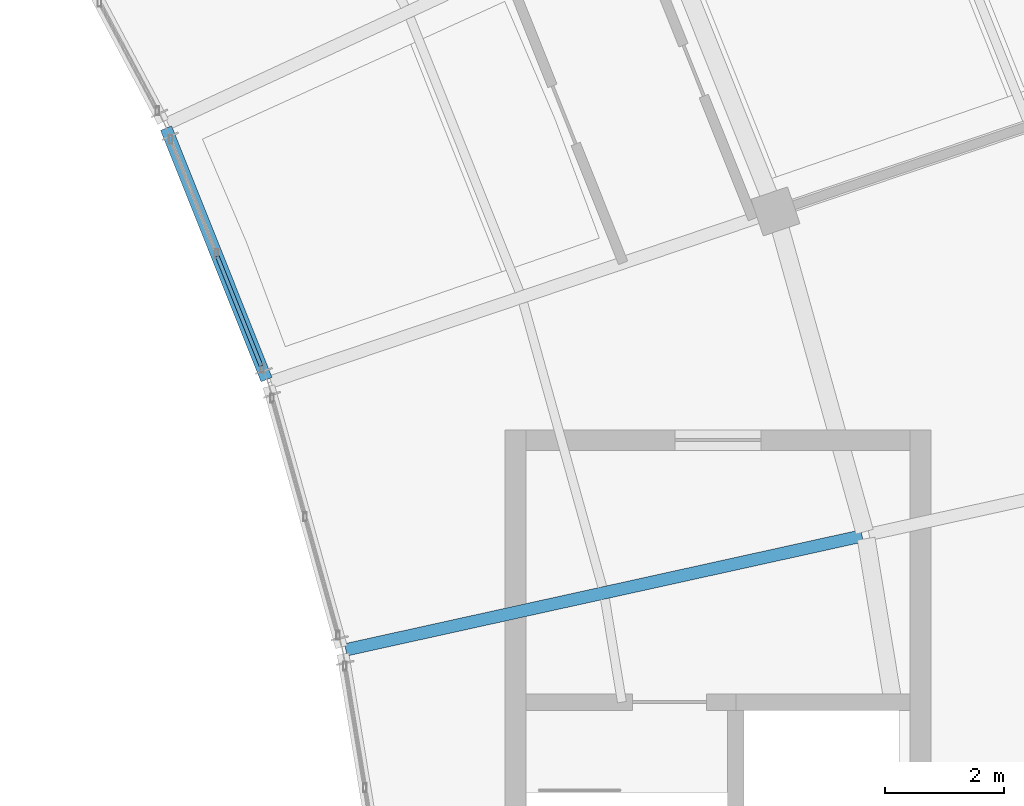
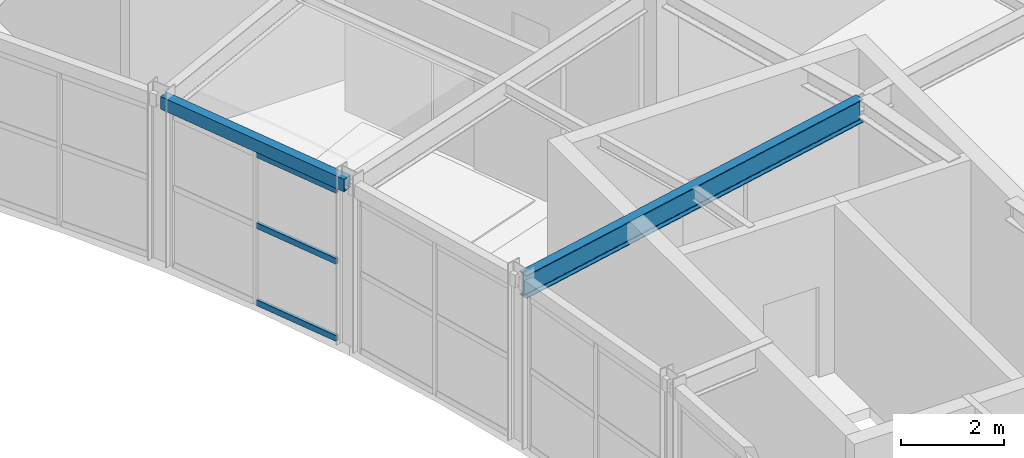
# One storey, part 11 of 29: 3 members, 2 beams, 1 element without a shape of its own.
"""IFC4 building model written with IfcOpenShell, lengths in metres."""

import ifcopenshell
import ifcopenshell.guid

model = None  # the IFC model being written
_history = None  # IfcOwnerHistory: only IFC2X3 demands one
_inside = {}  # id of a spatial element -> (the spatial element, [elements in it])
_under = {}  # id of a project, library or spatial element -> (it, [spatial elements below it])
_declared = {}  # id of a project -> (the project, [libraries it declares])
_typed = {}  # id of a type object -> (the type object, [elements of that type])
_made_of = {}  # id of a material, layer set ... -> (it, [elements and type objects made of it])


def new_model(schema):
    """Start an empty IFC model of exactly this schema.

    Asked for "IFC4X3", IfcOpenShell would pick the latest addendum, in which some entities
    have other attributes; the version numbers below select the first issue.
    IFC2X3 requires an IfcOwnerHistory on every rooted entity: one is made here for all.
    """
    global model, _history
    if schema == "IFC4X3":
        model = ifcopenshell.file(schema_version=(4, 3, 0, 0))
    else:
        model = ifcopenshell.file(schema=schema)
    _inside.clear()
    _under.clear()
    _declared.clear()
    _typed.clear()
    _made_of.clear()
    _history = None
    if model.schema == "IFC2X3":
        org = make("IfcOrganization", Name="unknown")
        user = make(
            "IfcPersonAndOrganization",
            ThePerson=make("IfcPerson", FamilyName="unknown"),
            TheOrganization=org,
        )
        app = make(
            "IfcApplication",
            ApplicationDeveloper=org,
            Version="unknown",
            ApplicationFullName="unknown",
            ApplicationIdentifier="unknown",
        )
        _history = make(
            "IfcOwnerHistory",
            OwningUser=user,
            OwningApplication=app,
            ChangeAction="ADDED",
            CreationDate=0,
        )
    return model


def make(cls, **values):
    """One entity of the class cls with the attributes given. An attribute that is None is left unset."""
    return model.create_entity(
        cls, **{name: value for name, value in values.items() if value is not None}
    )


def rooted(cls, **values):
    """An entity with a GlobalId (a new one), such as an element, a storey or a relation."""
    return make(cls, GlobalId=ifcopenshell.guid.new(), OwnerHistory=_history, **values)


def si_unit(unit_type, name, prefix=None):
    """IfcSIUnit, for example si_unit("LENGTHUNIT", "METRE", prefix="MILLI")."""
    return make("IfcSIUnit", UnitType=unit_type, Prefix=prefix, Name=name)


def assignment(units):
    """IfcUnitAssignment: the units of a project."""
    return None if units is None else make("IfcUnitAssignment", Units=units)


def point(xyz):
    """IfcCartesianPoint."""
    return None if xyz is None else make("IfcCartesianPoint", Coordinates=xyz)


def direction(xyz):
    """IfcDirection."""
    return None if xyz is None else make("IfcDirection", DirectionRatios=xyz)


def frame(location, z_axis=None, x_axis=None):
    """IfcAxis2Placement3D, a coordinate frame: its origin and axes. An axis left out is left unset."""
    return make(
        "IfcAxis2Placement3D",
        Location=point(location),
        Axis=direction(z_axis),
        RefDirection=direction(x_axis),
    )


def frame_2d(location, x_axis=None):
    """IfcAxis2Placement2D, a coordinate frame in the plane: its origin and x axis."""
    return make(
        "IfcAxis2Placement2D", Location=point(location), RefDirection=direction(x_axis)
    )


def origin():
    """The frame at (0, 0, 0) with its axes left unset."""
    return frame((0.0, 0.0, 0.0))


def origin_2d():
    """The frame at (0, 0) in the plane with its x axis left unset."""
    return frame_2d((0.0, 0.0))


def place(relative_to, where):
    """IfcLocalPlacement: puts the frame where relative to a parent placement (None: the world)."""
    return make(
        "IfcLocalPlacement", PlacementRelTo=relative_to, RelativePlacement=where
    )


def context(
    kind, dimensions, precision=None, world=None, true_north=None, identifier=None
):
    """IfcGeometricRepresentationContext, for example the 3D "Model" context."""
    return make(
        "IfcGeometricRepresentationContext",
        ContextIdentifier=identifier,
        ContextType=kind,
        CoordinateSpaceDimension=dimensions,
        Precision=precision,
        WorldCoordinateSystem=world,
        TrueNorth=true_north,
    )


def subcontext(parent, identifier, kind, view, scale=None):
    """IfcGeometricRepresentationSubContext, for example "Body" below "Model"."""
    return make(
        "IfcGeometricRepresentationSubContext",
        ContextIdentifier=identifier,
        ContextType=kind,
        ParentContext=parent,
        TargetScale=scale,
        TargetView=view,
    )


def project(units=None, contexts=None):
    """IfcProject with its units and contexts."""
    return rooted(
        "IfcProject",
        Name="project",
        RepresentationContexts=contexts,
        UnitsInContext=assignment(units),
    )


def spatial(cls, under=None, at=None, **own):
    """A site, building, storey or space (cls), placed at a placement, below another one or the project."""
    s = rooted(cls, ObjectPlacement=at, **own)
    if under is not None:
        _under.setdefault(under.id(), (under, []))[1].append(s)
    return s


def profile(cls, at=None, kind="AREA", **sizes):
    """A parametric profile (cls). Its sizes go by their IFC names, for example OverallWidth=200.0."""
    return make(cls, ProfileType=kind, Position=at, **sizes)


def hollow_rectangle(**sizes):
    """IfcRectangleHollowProfileDef."""
    return profile("IfcRectangleHollowProfileDef", **sizes)


def i_section(**sizes):
    """IfcIShapeProfileDef."""
    return profile("IfcIShapeProfileDef", **sizes)


def extrude(swept, where, along, depth):
    """IfcExtrudedAreaSolid: the profile swept, set in the frame where, extruded along a direction by depth."""
    return make(
        "IfcExtrudedAreaSolid",
        SweptArea=swept,
        Position=where,
        ExtrudedDirection=direction(along),
        Depth=depth,
    )


def shape(context_of_items, identifier, shape_type, items):
    """IfcShapeRepresentation: the items that make up one representation, for example the "Body"."""
    return make(
        "IfcShapeRepresentation",
        ContextOfItems=context_of_items,
        RepresentationIdentifier=identifier,
        RepresentationType=shape_type,
        Items=items,
    )


def material(Name=None, Category=None):
    """IfcMaterial."""
    return make("IfcMaterial", Name=Name, Category=Category)


def material_profile(
    of_material, cross_section, Name=None, Category=None, Priority=None
):
    """IfcMaterialProfile: a cross section and its material."""
    return make(
        "IfcMaterialProfile",
        Name=Name,
        Material=of_material,
        Profile=cross_section,
        Priority=Priority,
        Category=Category,
    )


def profile_set(profiles, Name=None, composite=None):
    """IfcMaterialProfileSet."""
    return make(
        "IfcMaterialProfileSet",
        Name=Name,
        MaterialProfiles=profiles,
        CompositeProfile=composite,
    )


def made_of(thing, what):
    """Note that an element or type object is made of a material, layer set ...; save() writes the relation."""
    if what is not None:
        _made_of.setdefault(what.id(), (what, []))[1].append(thing)
    return thing


def type_object(cls, material=None, **own):
    """A type object (cls), such as IfcWallType, which elements share."""
    return made_of(rooted(cls, **own), material)


def element(
    cls,
    number,
    at=None,
    inside=None,
    cuts=None,
    type_object=None,
    material=None,
    context=None,
    identifier="Body",
    shape_type=None,
    held_by="IfcProductDefinitionShape",
    body=None,
    shapes=None,
    **own,
):
    """One element of the class cls, such as IfcWall. Its Tag is "e" and its number.

    at: its placement. inside: the storey or other place that contains it. cuts: it is an
    opening in that element (IfcRelVoidsElement). A single representation is given by context,
    identifier, shape_type and body (its items); several are given by shapes. held_by: the class
    of the entity that holds the representations. save() writes the other relations.
    """
    e = rooted(cls, Tag="e%d" % number, ObjectPlacement=at, **own)
    if body is not None:
        shapes = [shape(context, identifier, shape_type, body)]
    if shapes is not None:
        e.Representation = make(held_by, Representations=shapes)
    if inside is not None:
        _inside.setdefault(inside.id(), (inside, []))[1].append(e)
    if cuts is not None:
        rooted(
            "IfcRelVoidsElement", RelatingBuildingElement=cuts, RelatedOpeningElement=e
        )
    if type_object is not None:
        _typed.setdefault(type_object.id(), (type_object, []))[1].append(e)
    return made_of(e, material)


def aggregate(whole, parts):
    """IfcRelAggregates: a whole, such as a stair, and the parts it consists of."""
    return rooted("IfcRelAggregates", RelatingObject=whole, RelatedObjects=parts)


def save(model, path):
    """Write the relations noted so far, then the file.

    IfcRelAggregates (storeys below a building ...), IfcRelContainedInSpatialStructure (elements
    in a storey), IfcRelDefinesByType, IfcRelAssociatesMaterial and IfcRelDeclares: one each for
    every whole, place, type object, material and project.
    """
    for whole, parts in _under.values():
        aggregate(whole, parts)
    for where, things in _inside.values():
        rooted(
            "IfcRelContainedInSpatialStructure",
            RelatedElements=things,
            RelatingStructure=where,
        )
    for kind, things in _typed.values():
        rooted("IfcRelDefinesByType", RelatedObjects=things, RelatingType=kind)
    for what, things in _made_of.values():
        rooted("IfcRelAssociatesMaterial", RelatedObjects=things, RelatingMaterial=what)
    for by, libraries in _declared.values():
        rooted("IfcRelDeclares", RelatingContext=by, RelatedDefinitions=libraries)
    model.write(path)


model = new_model("IFC4")

# Units and contexts
model_context = context("Model", 3, precision=1e-05, world=origin(), true_north=direction((0.0, 1.0)))
body_context = subcontext(model_context, "Body", "Model", "MODEL_VIEW")
ifc_project = project(units=[si_unit("LENGTHUNIT", "METRE"), si_unit("AREAUNIT", "SQUARE_METRE"), si_unit("VOLUMEUNIT", "CUBIC_METRE"), si_unit("PLANEANGLEUNIT", "RADIAN"), si_unit("MASSUNIT", "GRAM", prefix="KILO")], contexts=[model_context])

# Site, building, storey
site_placement = place(None, origin())
site = spatial("IfcSite", under=ifc_project, at=site_placement, CompositionType="ELEMENT")
building_placement = place(site_placement, origin())
building = spatial("IfcBuilding", under=site, at=building_placement, Name="Tarnveldt Headland Concert Hall", CompositionType="ELEMENT")
storey_placement = place(building_placement, frame((0.0, 0.0, 18.60009765625)))
storey = spatial("IfcBuildingStorey", under=building, at=storey_placement, Name="L04", CompositionType="ELEMENT", Elevation=18.60009765625)

# Beams
ifc_material_1 = material(Name="Steel S355", Category="steel")
ifc_material_profile_1 = material_profile(ifc_material_1, i_section(OverallWidth=0.2099609375, OverallDepth=0.550048828125, WebThickness=0.010986328125, FlangeThickness=0.01708984375, FilletRadius=0.02392578125, at=origin_2d()), Name="IPE550", Category="steel")
ifc_profile_set_1 = profile_set([ifc_material_profile_1], Name="Steel S355")
beam_type_1 = type_object("IfcBeamType", Name="SB-IPE550", PredefinedType="BEAM", material=ifc_profile_set_1)
beam_1_placement = place(storey_placement, frame((159.54833984375, 69.279052734375, 3.704833984375), z_axis=(0.976505569656, 0.215492163268, 0.0), x_axis=(-0.215492163268, 0.976505569656, 0.0)))
element("IfcBeam", 1, at=beam_1_placement, inside=storey, type_object=beam_type_1, Name="Framing beam L04-1370", PredefinedType="BEAM", context=body_context, shape_type="SweptSolid", body=[
    extrude(i_section(OverallWidth=0.2099609375, OverallDepth=0.550048828125, WebThickness=0.010986328125, FlangeThickness=0.01708984375, FilletRadius=0.02392578125, at=origin_2d()), origin(), (0.0, 0.0, 1.0), 8.880126953125),
])
ifc_material_profile_2 = material_profile(ifc_material_1, hollow_rectangle(XDim=0.199951171875, YDim=0.300048828125, WallThickness=0.012451171875, at=origin_2d()), Name="RHS 300x200x12.5", Category="steel")
ifc_profile_set_2 = profile_set([ifc_material_profile_2], Name="Steel S355")
beam_type_2 = type_object("IfcBeamType", Name="SB-RHS300", PredefinedType="SPANDREL", material=ifc_profile_set_2)
beam_2_placement = place(storey_placement, frame((158.2158203125, 73.818359375, 3.829833984375), z_axis=(-0.370983353144, 0.928639516546, 0.0), x_axis=(-0.928639516546, -0.370983353144, 0.0)))
element("IfcBeam", 2, at=beam_2_placement, inside=storey, type_object=beam_type_2, Name="Framing beam L04-1379", PredefinedType="SPANDREL", context=body_context, shape_type="SweptSolid", body=[
    extrude(hollow_rectangle(XDim=0.199951171875, YDim=0.300048828125, WallThickness=0.012451171875, at=origin_2d()), origin(), (0.0, 0.0, 1.0), 4.54736328125),
])

# Curtain wall, members
ifc_material_2 = material(Name="Marine-anodised aluminium EN AW-6063-T6", Category="aluminium")
curtain_wall_type = type_object("IfcCurtainWallType", Name="CW-C5", PredefinedType="NOTDEFINED", material=ifc_material_2)
curtain_wall_placement = place(storey_placement, origin())
curtain_wall = element("IfcCurtainWall", 3, at=curtain_wall_placement, inside=storey, type_object=curtain_wall_type, Name="Curtain wall CW-L04-150", PredefinedType="NOTDEFINED")
ifc_material_profile_3 = material_profile(ifc_material_2, hollow_rectangle(XDim=0.06494140625, YDim=0.139892578125, WallThickness=0.00390625, at=origin_2d()), Name="ALU TRANSOM 65x140x4", Category="aluminium")
ifc_profile_set_3 = profile_set([ifc_material_profile_3], Name="Marine-anodised aluminium EN AW-6063-T6")
member_type = type_object("IfcMemberType", Name="TR-140", PredefinedType="MEMBER", material=ifc_profile_set_3)
member_1_placement = place(storey_placement, frame((158.124267578125, 74.0478515625, 0.0498046875), z_axis=(-0.37111495253, 0.92858693293, 0.0), x_axis=(-0.92858693293, -0.37111495253, 0.0)))
member_1 = element("IfcMember", 4, at=member_1_placement, type_object=member_type, Name="Transom CW-L04-150-1-1", PredefinedType="MEMBER", context=body_context, shape_type="SweptSolid", body=[
    extrude(hollow_rectangle(XDim=0.06494140625, YDim=0.139892578125, WallThickness=0.00390625, at=origin_2d()), origin(), (0.0, 0.0, 1.0), 1.98486328125),
])
member_2_placement = place(storey_placement, frame((158.124267578125, 74.0478515625, 1.88232421875), z_axis=(-0.37111495253, 0.92858693293, 0.0), x_axis=(-0.92858693293, -0.37111495253, 0.0)))
member_2 = element("IfcMember", 5, at=member_2_placement, type_object=member_type, Name="Transom CW-L04-150-1-2", PredefinedType="MEMBER", context=body_context, shape_type="SweptSolid", body=[
    extrude(hollow_rectangle(XDim=0.06494140625, YDim=0.139892578125, WallThickness=0.00390625, at=origin_2d()), origin(), (0.0, 0.0, 1.0), 1.98486328125),
])
member_3_placement = place(storey_placement, frame((158.124267578125, 74.0478515625, 3.56982421875), z_axis=(-0.37111495253, 0.92858693293, 0.0), x_axis=(-0.92858693293, -0.37111495253, 0.0)))
member_3 = element("IfcMember", 6, at=member_3_placement, type_object=member_type, Name="Transom CW-L04-150-1-3", PredefinedType="MEMBER", context=body_context, shape_type="SweptSolid", body=[
    extrude(hollow_rectangle(XDim=0.06494140625, YDim=0.139892578125, WallThickness=0.00390625, at=origin_2d()), origin(), (0.0, 0.0, 1.0), 1.98486328125),
])
aggregate(curtain_wall, [member_1, member_2, member_3])

save(model, "model.ifc")
